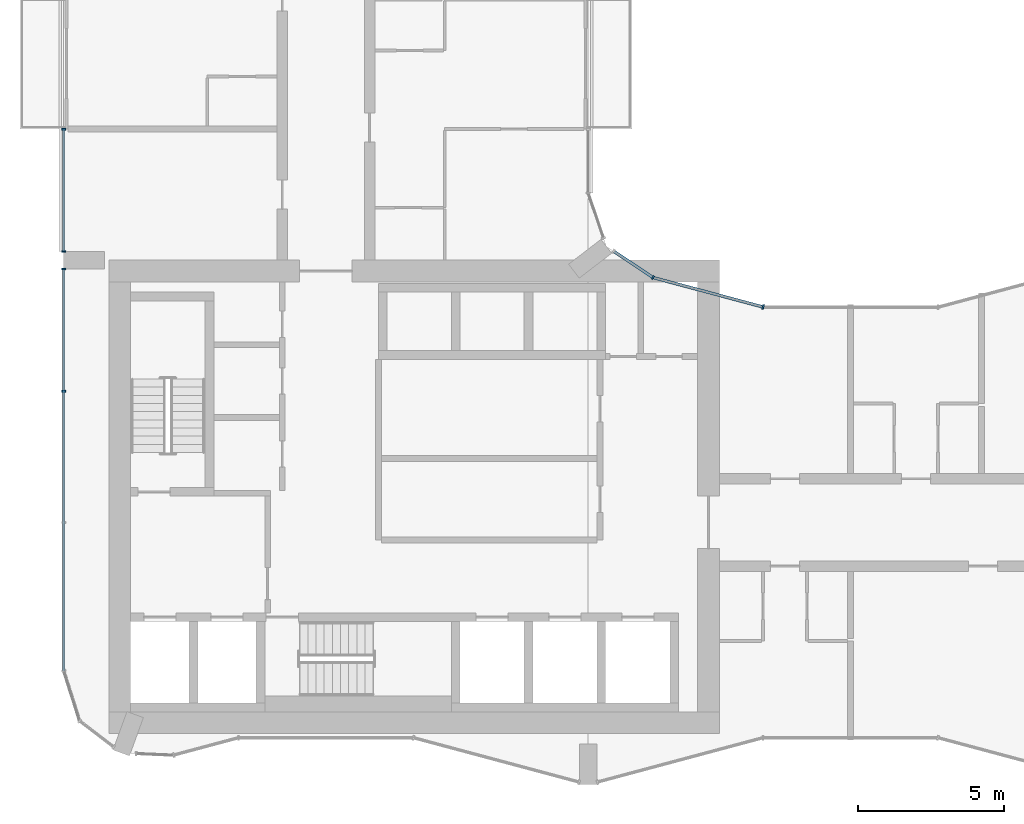
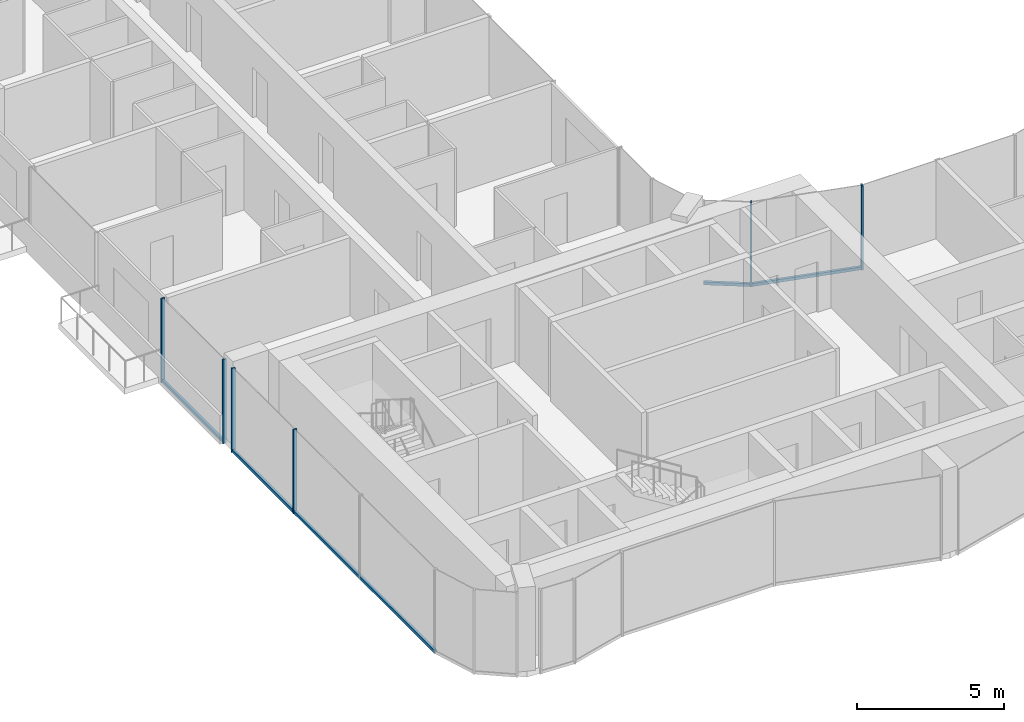
# One storey, part 3 of 22: 10 members, 4 elements without a shape of their own.
"""IFC4 building model written with IfcOpenShell, lengths in metres."""

import ifcopenshell
import ifcopenshell.guid

model = None  # the IFC model being written
_history = None  # IfcOwnerHistory: only IFC2X3 demands one
_inside = {}  # id of a spatial element -> (the spatial element, [elements in it])
_under = {}  # id of a project, library or spatial element -> (it, [spatial elements below it])
_declared = {}  # id of a project -> (the project, [libraries it declares])
_typed = {}  # id of a type object -> (the type object, [elements of that type])
_made_of = {}  # id of a material, layer set ... -> (it, [elements and type objects made of it])


def new_model(schema):
    """Start an empty IFC model of exactly this schema.

    Asked for "IFC4X3", IfcOpenShell would pick the latest addendum, in which some entities
    have other attributes; the version numbers below select the first issue.
    IFC2X3 requires an IfcOwnerHistory on every rooted entity: one is made here for all.
    """
    global model, _history
    if schema == "IFC4X3":
        model = ifcopenshell.file(schema_version=(4, 3, 0, 0))
    else:
        model = ifcopenshell.file(schema=schema)
    _inside.clear()
    _under.clear()
    _declared.clear()
    _typed.clear()
    _made_of.clear()
    _history = None
    if model.schema == "IFC2X3":
        org = make("IfcOrganization", Name="unknown")
        user = make(
            "IfcPersonAndOrganization",
            ThePerson=make("IfcPerson", FamilyName="unknown"),
            TheOrganization=org,
        )
        app = make(
            "IfcApplication",
            ApplicationDeveloper=org,
            Version="unknown",
            ApplicationFullName="unknown",
            ApplicationIdentifier="unknown",
        )
        _history = make(
            "IfcOwnerHistory",
            OwningUser=user,
            OwningApplication=app,
            ChangeAction="ADDED",
            CreationDate=0,
        )
    return model


def make(cls, **values):
    """One entity of the class cls with the attributes given. An attribute that is None is left unset."""
    return model.create_entity(
        cls, **{name: value for name, value in values.items() if value is not None}
    )


def rooted(cls, **values):
    """An entity with a GlobalId (a new one), such as an element, a storey or a relation."""
    return make(cls, GlobalId=ifcopenshell.guid.new(), OwnerHistory=_history, **values)


def si_unit(unit_type, name, prefix=None):
    """IfcSIUnit, for example si_unit("LENGTHUNIT", "METRE", prefix="MILLI")."""
    return make("IfcSIUnit", UnitType=unit_type, Prefix=prefix, Name=name)


def assignment(units):
    """IfcUnitAssignment: the units of a project."""
    return None if units is None else make("IfcUnitAssignment", Units=units)


def point(xyz):
    """IfcCartesianPoint."""
    return None if xyz is None else make("IfcCartesianPoint", Coordinates=xyz)


def direction(xyz):
    """IfcDirection."""
    return None if xyz is None else make("IfcDirection", DirectionRatios=xyz)


def frame(location, z_axis=None, x_axis=None):
    """IfcAxis2Placement3D, a coordinate frame: its origin and axes. An axis left out is left unset."""
    return make(
        "IfcAxis2Placement3D",
        Location=point(location),
        Axis=direction(z_axis),
        RefDirection=direction(x_axis),
    )


def frame_2d(location, x_axis=None):
    """IfcAxis2Placement2D, a coordinate frame in the plane: its origin and x axis."""
    return make(
        "IfcAxis2Placement2D", Location=point(location), RefDirection=direction(x_axis)
    )


def origin():
    """The frame at (0, 0, 0) with its axes left unset."""
    return frame((0.0, 0.0, 0.0))


def origin_2d():
    """The frame at (0, 0) in the plane with its x axis left unset."""
    return frame_2d((0.0, 0.0))


def place(relative_to, where):
    """IfcLocalPlacement: puts the frame where relative to a parent placement (None: the world)."""
    return make(
        "IfcLocalPlacement", PlacementRelTo=relative_to, RelativePlacement=where
    )


def context(
    kind, dimensions, precision=None, world=None, true_north=None, identifier=None
):
    """IfcGeometricRepresentationContext, for example the 3D "Model" context."""
    return make(
        "IfcGeometricRepresentationContext",
        ContextIdentifier=identifier,
        ContextType=kind,
        CoordinateSpaceDimension=dimensions,
        Precision=precision,
        WorldCoordinateSystem=world,
        TrueNorth=true_north,
    )


def subcontext(parent, identifier, kind, view, scale=None):
    """IfcGeometricRepresentationSubContext, for example "Body" below "Model"."""
    return make(
        "IfcGeometricRepresentationSubContext",
        ContextIdentifier=identifier,
        ContextType=kind,
        ParentContext=parent,
        TargetScale=scale,
        TargetView=view,
    )


def project(units=None, contexts=None):
    """IfcProject with its units and contexts."""
    return rooted(
        "IfcProject",
        Name="project",
        RepresentationContexts=contexts,
        UnitsInContext=assignment(units),
    )


def spatial(cls, under=None, at=None, **own):
    """A site, building, storey or space (cls), placed at a placement, below another one or the project."""
    s = rooted(cls, ObjectPlacement=at, **own)
    if under is not None:
        _under.setdefault(under.id(), (under, []))[1].append(s)
    return s


def profile(cls, at=None, kind="AREA", **sizes):
    """A parametric profile (cls). Its sizes go by their IFC names, for example OverallWidth=200.0."""
    return make(cls, ProfileType=kind, Position=at, **sizes)


def rectangle(**sizes):
    """IfcRectangleProfileDef."""
    return profile("IfcRectangleProfileDef", **sizes)


def extrude(swept, where, along, depth):
    """IfcExtrudedAreaSolid: the profile swept, set in the frame where, extruded along a direction by depth."""
    return make(
        "IfcExtrudedAreaSolid",
        SweptArea=swept,
        Position=where,
        ExtrudedDirection=direction(along),
        Depth=depth,
    )


def shape(context_of_items, identifier, shape_type, items):
    """IfcShapeRepresentation: the items that make up one representation, for example the "Body"."""
    return make(
        "IfcShapeRepresentation",
        ContextOfItems=context_of_items,
        RepresentationIdentifier=identifier,
        RepresentationType=shape_type,
        Items=items,
    )


def material(Name=None, Category=None):
    """IfcMaterial."""
    return make("IfcMaterial", Name=Name, Category=Category)


def layer(
    of_material, thickness, ventilated=None, Name=None, Category=None, Priority=None
):
    """IfcMaterialLayer: one layer of a wall or slab, of a material (None: an air gap)."""
    return make(
        "IfcMaterialLayer",
        Material=of_material,
        LayerThickness=thickness,
        IsVentilated=ventilated,
        Name=Name,
        Category=Category,
        Priority=Priority,
    )


def layer_set(layers, Name=None):
    """IfcMaterialLayerSet."""
    return make("IfcMaterialLayerSet", MaterialLayers=layers, LayerSetName=Name)


def material_profile(
    of_material, cross_section, Name=None, Category=None, Priority=None
):
    """IfcMaterialProfile: a cross section and its material."""
    return make(
        "IfcMaterialProfile",
        Name=Name,
        Material=of_material,
        Profile=cross_section,
        Priority=Priority,
        Category=Category,
    )


def profile_set(profiles, Name=None, composite=None):
    """IfcMaterialProfileSet."""
    return make(
        "IfcMaterialProfileSet",
        Name=Name,
        MaterialProfiles=profiles,
        CompositeProfile=composite,
    )


def made_of(thing, what):
    """Note that an element or type object is made of a material, layer set ...; save() writes the relation."""
    if what is not None:
        _made_of.setdefault(what.id(), (what, []))[1].append(thing)
    return thing


def type_object(cls, material=None, **own):
    """A type object (cls), such as IfcWallType, which elements share."""
    return made_of(rooted(cls, **own), material)


def element(
    cls,
    number,
    at=None,
    inside=None,
    cuts=None,
    type_object=None,
    material=None,
    context=None,
    identifier="Body",
    shape_type=None,
    held_by="IfcProductDefinitionShape",
    body=None,
    shapes=None,
    **own,
):
    """One element of the class cls, such as IfcWall. Its Tag is "e" and its number.

    at: its placement. inside: the storey or other place that contains it. cuts: it is an
    opening in that element (IfcRelVoidsElement). A single representation is given by context,
    identifier, shape_type and body (its items); several are given by shapes. held_by: the class
    of the entity that holds the representations. save() writes the other relations.
    """
    e = rooted(cls, Tag="e%d" % number, ObjectPlacement=at, **own)
    if body is not None:
        shapes = [shape(context, identifier, shape_type, body)]
    if shapes is not None:
        e.Representation = make(held_by, Representations=shapes)
    if inside is not None:
        _inside.setdefault(inside.id(), (inside, []))[1].append(e)
    if cuts is not None:
        rooted(
            "IfcRelVoidsElement", RelatingBuildingElement=cuts, RelatedOpeningElement=e
        )
    if type_object is not None:
        _typed.setdefault(type_object.id(), (type_object, []))[1].append(e)
    return made_of(e, material)


def aggregate(whole, parts):
    """IfcRelAggregates: a whole, such as a stair, and the parts it consists of."""
    return rooted("IfcRelAggregates", RelatingObject=whole, RelatedObjects=parts)


def save(model, path):
    """Write the relations noted so far, then the file.

    IfcRelAggregates (storeys below a building ...), IfcRelContainedInSpatialStructure (elements
    in a storey), IfcRelDefinesByType, IfcRelAssociatesMaterial and IfcRelDeclares: one each for
    every whole, place, type object, material and project.
    """
    for whole, parts in _under.values():
        aggregate(whole, parts)
    for where, things in _inside.values():
        rooted(
            "IfcRelContainedInSpatialStructure",
            RelatedElements=things,
            RelatingStructure=where,
        )
    for kind, things in _typed.values():
        rooted("IfcRelDefinesByType", RelatedObjects=things, RelatingType=kind)
    for what, things in _made_of.values():
        rooted("IfcRelAssociatesMaterial", RelatedObjects=things, RelatingMaterial=what)
    for by, libraries in _declared.values():
        rooted("IfcRelDeclares", RelatingContext=by, RelatedDefinitions=libraries)
    model.write(path)


model = new_model("IFC4")

# Units and contexts
model_context = context("Model", 3, precision=1e-05, world=origin(), true_north=direction((0.0, 1.0)))
body_context = subcontext(model_context, "Body", "Model", "MODEL_VIEW")
ifc_project = project(units=[si_unit("LENGTHUNIT", "METRE"), si_unit("AREAUNIT", "SQUARE_METRE"), si_unit("VOLUMEUNIT", "CUBIC_METRE"), si_unit("PLANEANGLEUNIT", "RADIAN"), si_unit("MASSUNIT", "GRAM", prefix="KILO")], contexts=[model_context])

# Site, building, storey
site_placement = place(None, origin())
site = spatial("IfcSite", under=ifc_project, at=site_placement, CompositionType="ELEMENT")
building_placement = place(site_placement, origin())
building = spatial("IfcBuilding", under=site, at=building_placement, Name="Plateau Cross Towers", CompositionType="ELEMENT")
storey_placement = place(building_placement, frame((0.0, 0.0, 58.300048828125)))
storey = spatial("IfcBuildingStorey", under=building, at=storey_placement, Name="L14", CompositionType="ELEMENT", Elevation=58.300048828125)

# Curtain wall, member
ifc_material_1 = material(Name="Dark low-iron glass", Category="glass")
ifc_layer_1 = layer(ifc_material_1, 0.239990234375)
ifc_layer_set_1 = layer_set([ifc_layer_1], Name="Dark low-iron glass")
curtain_wall_type_1 = type_object("IfcCurtainWallType", Name="Curtain wall flush unitised CW-B", PredefinedType="NOTDEFINED", material=ifc_layer_set_1)
curtain_wall_1_placement = place(storey_placement, origin())
curtain_wall_1 = element("IfcCurtainWall", 1, at=curtain_wall_1_placement, inside=storey, type_object=curtain_wall_type_1, Name="ENV/A/L14/A202_174", PredefinedType="NOTDEFINED")
ifc_material_2 = material(Name="Black anodised aluminium", Category="aluminium")
ifc_material_profile_1 = material_profile(ifc_material_2, rectangle(XDim=0.06005859375, YDim=0.139892578125, at=origin_2d()), Name="MULLION 60x140")
ifc_profile_set_1 = profile_set([ifc_material_profile_1], Name="Black anodised aluminium")
member_type_1 = type_object("IfcMemberType", Name="Mullion 60x140 flush unitised", PredefinedType="MULLION", material=ifc_profile_set_1)
member_1_placement = place(storey_placement, frame((20.223876953125, 17.404296875, -0.25), z_axis=(0.0, 0.0, 1.0), x_axis=(-0.831521253329, 0.555492938984, 0.0)))
member_1 = element("IfcMember", 2, at=member_1_placement, type_object=member_type_1, Name="CW-B mullion 1", PredefinedType="MULLION", context=body_context, shape_type="SweptSolid", body=[
    extrude(rectangle(XDim=0.06005859375, YDim=0.139892578125, at=origin_2d()), origin(), (0.0, 0.0, 1.0), 3.5),
])

# Curtain wall, members
curtain_wall_2_placement = place(storey_placement, origin())
curtain_wall_2 = element("IfcCurtainWall", 3, at=curtain_wall_2_placement, inside=storey, type_object=curtain_wall_type_1, Name="ENV/A/L14/A0_225", PredefinedType="NOTDEFINED")
member_2_placement = place(storey_placement, frame((0.0, 22.489990234375, -0.25), z_axis=(0.0, 0.0, 1.0), x_axis=(0.0, -1.0, 0.0)))
member_2 = element("IfcMember", 4, at=member_2_placement, type_object=member_type_1, Name="CW-B mullion 1", PredefinedType="MULLION", context=body_context, shape_type="SweptSolid", body=[
    extrude(rectangle(XDim=0.06005859375, YDim=0.139892578125, at=origin_2d()), origin(), (0.0, 0.0, 1.0), 3.5),
])
member_3_placement = place(storey_placement, frame((0.0, 18.300048828125, -0.25), z_axis=(0.0, 0.0, 1.0), x_axis=(0.0, -1.0, 0.0)))
member_3 = element("IfcMember", 5, at=member_3_placement, type_object=member_type_1, Name="CW-B mullion 2", PredefinedType="MULLION", context=body_context, shape_type="SweptSolid", body=[
    extrude(rectangle(XDim=0.06005859375, YDim=0.139892578125, at=origin_2d()), origin(), (0.0, 0.0, 1.0), 3.5),
])

curtain_wall_3_placement = place(storey_placement, origin())
curtain_wall_3 = element("IfcCurtainWall", 6, at=curtain_wall_3_placement, inside=storey, type_object=curtain_wall_type_1, Name="ENV/A/L14/A0_177", PredefinedType="NOTDEFINED")
member_4_placement = place(storey_placement, frame((0.0, 17.699951171875, -0.25), z_axis=(0.0, 0.0, 1.0), x_axis=(0.0, -1.0, 0.0)))
member_4 = element("IfcMember", 7, at=member_4_placement, type_object=member_type_1, Name="CW-B mullion 1", PredefinedType="MULLION", context=body_context, shape_type="SweptSolid", body=[
    extrude(rectangle(XDim=0.06005859375, YDim=0.139892578125, at=origin_2d()), origin(), (0.0, 0.0, 1.0), 3.5),
])
member_5_placement = place(storey_placement, frame((0.0, 13.5, -0.25), z_axis=(0.0, 0.0, 1.0), x_axis=(0.0, -1.0, 0.0)))
member_5 = element("IfcMember", 8, at=member_5_placement, type_object=member_type_1, Name="CW-B mullion 2", PredefinedType="MULLION", context=body_context, shape_type="SweptSolid", body=[
    extrude(rectangle(XDim=0.06005859375, YDim=0.139892578125, at=origin_2d()), origin(), (0.0, 0.0, 1.0), 3.5),
])

# Curtain wall, member
ifc_layer_2 = layer(ifc_material_1, 0.260009765625)
ifc_layer_set_2 = layer_set([ifc_layer_2], Name="Dark low-iron glass")
curtain_wall_type_2 = type_object("IfcCurtainWallType", Name="Curtain wall fluted unitised CW-A", PredefinedType="NOTDEFINED", material=ifc_layer_set_2)
curtain_wall_4_placement = place(storey_placement, origin())
curtain_wall_4 = element("IfcCurtainWall", 9, at=curtain_wall_4_placement, inside=storey, type_object=curtain_wall_type_2, Name="ENV/A/L14/A240_164", PredefinedType="NOTDEFINED")
ifc_material_profile_2 = material_profile(ifc_material_2, rectangle(XDim=0.06005859375, YDim=0.159912109375, at=origin_2d()), Name="MULLION 60x160")
ifc_profile_set_2 = profile_set([ifc_material_profile_2], Name="Black anodised aluminium")
member_type_2 = type_object("IfcMemberType", Name="Mullion 60x160 fluted unitised", PredefinedType="MULLION", material=ifc_profile_set_2)
member_6_placement = place(storey_placement, frame((24.0, 16.39306640625, -0.25), z_axis=(0.0, 0.0, 1.0), x_axis=(-0.965957995816, 0.258698956933, 0.0)))
member_6 = element("IfcMember", 10, at=member_6_placement, type_object=member_type_2, Name="CW-A mullion 1", PredefinedType="MULLION", context=body_context, shape_type="SweptSolid", body=[
    extrude(rectangle(XDim=0.06005859375, YDim=0.159912109375, at=origin_2d()), origin(), (0.0, 0.0, 1.0), 3.5),
])

# Member
ifc_material_profile_3 = material_profile(ifc_material_2, rectangle(XDim=0.10009765625, YDim=0.1201171875, at=origin_2d()), Name="TRANSOM 100x120")
ifc_profile_set_3 = profile_set([ifc_material_profile_3], Name="Black anodised aluminium")
member_type_3 = type_object("IfcMemberType", Name="Transom 100x120 flush unitised", PredefinedType="USERDEFINED", material=ifc_profile_set_3)
member_7_placement = place(storey_placement, frame((20.223876953125, 17.404296875, -0.18994140625), z_axis=(-0.831496402487, 0.555530136582, 0.0), x_axis=(-0.555530136582, -0.831496402487, 0.0)))
member_7 = element("IfcMember", 11, at=member_7_placement, type_object=member_type_3, Name="CW-B transom", ObjectType="TRANSOM", PredefinedType="USERDEFINED", context=body_context, shape_type="SweptSolid", body=[
    extrude(rectangle(XDim=0.10009765625, YDim=0.1201171875, at=origin_2d()), origin(), (0.0, 0.0, 1.0), 1.628662109375),
])

aggregate(curtain_wall_1, [member_1, member_7])

member_8_placement = place(storey_placement, frame((0.0, 22.489990234375, -0.18994140625), z_axis=(0.0, -1.0, 0.0), x_axis=(1.0, 0.0, 0.0)))
member_8 = element("IfcMember", 12, at=member_8_placement, type_object=member_type_3, Name="CW-B transom", ObjectType="TRANSOM", PredefinedType="USERDEFINED", context=body_context, shape_type="SweptSolid", body=[
    extrude(rectangle(XDim=0.10009765625, YDim=0.1201171875, at=origin_2d()), origin(), (0.0, 0.0, 1.0), 4.18994140625),
])

aggregate(curtain_wall_2, [member_2, member_3, member_8])

member_9_placement = place(storey_placement, frame((0.0, 17.699951171875, -0.18994140625), z_axis=(0.0, -1.0, 0.0), x_axis=(1.0, 0.0, 0.0)))
member_9 = element("IfcMember", 13, at=member_9_placement, type_object=member_type_3, Name="CW-B transom", ObjectType="TRANSOM", PredefinedType="USERDEFINED", context=body_context, shape_type="SweptSolid", body=[
    extrude(rectangle(XDim=0.10009765625, YDim=0.1201171875, at=origin_2d()), origin(), (0.0, 0.0, 1.0), 13.790771484375),
])

aggregate(curtain_wall_3, [member_4, member_5, member_9])

ifc_material_profile_4 = material_profile(ifc_material_2, rectangle(XDim=0.10009765625, YDim=0.1201171875, at=origin_2d()), Name="TRANSOM 100x120")
ifc_profile_set_4 = profile_set([ifc_material_profile_4], Name="Black anodised aluminium")
member_type_4 = type_object("IfcMemberType", Name="Transom 100x120 fluted unitised", PredefinedType="USERDEFINED", material=ifc_profile_set_4)
member_10_placement = place(storey_placement, frame((24.0, 16.39306640625, -0.18994140625), z_axis=(-0.965962822393, 0.25868093427, 0.0), x_axis=(-0.25868093427, -0.965962822393, 0.0)))
member_10 = element("IfcMember", 14, at=member_10_placement, type_object=member_type_4, Name="CW-A transom", ObjectType="TRANSOM", PredefinedType="USERDEFINED", context=body_context, shape_type="SweptSolid", body=[
    extrude(rectangle(XDim=0.10009765625, YDim=0.1201171875, at=origin_2d()), origin(), (0.0, 0.0, 1.0), 3.9091796875),
])

aggregate(curtain_wall_4, [member_6, member_10])

save(model, "model.ifc")
